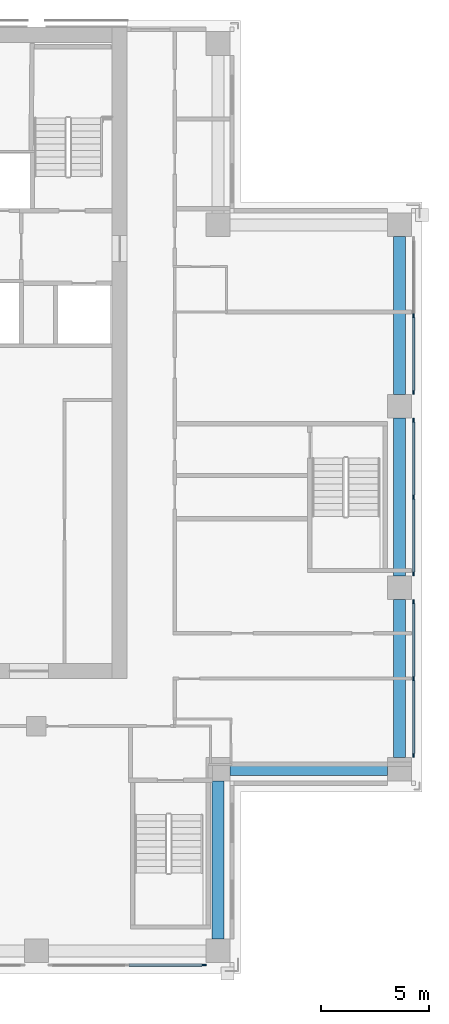
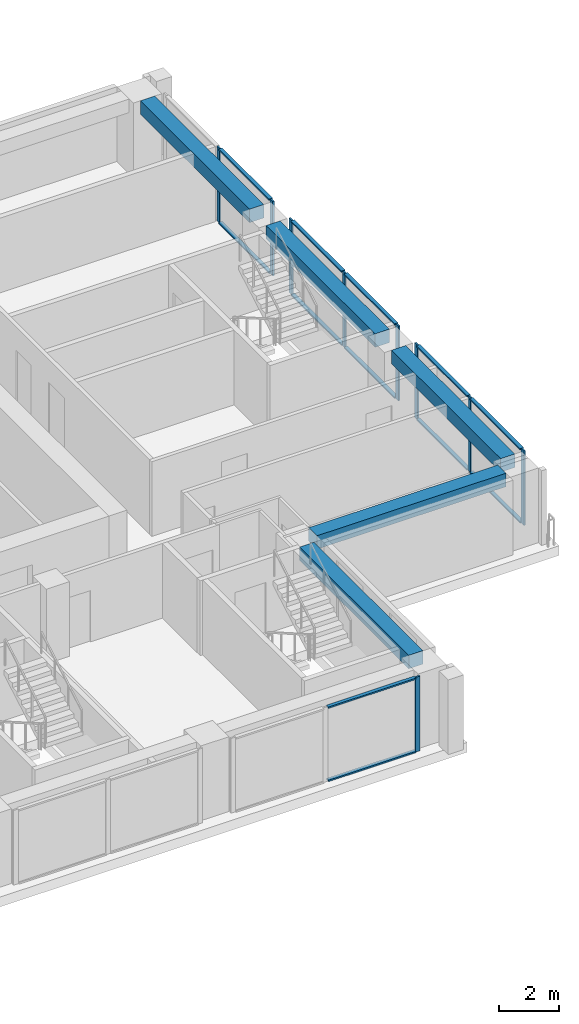
# One storey, part 5 of 16: 21 members, 5 beams, 4 elements without a shape of their own.
"""IFC4 building model written with IfcOpenShell, lengths in metres."""

from ifc_helpers import new_model, si_unit, direction, frame, origin, origin_2d, place, context, subcontext, project, spatial, rectangle, extrude, material, material_profile, profile_set, type_object, element, aggregate, save


model = new_model("IFC4")

# Units and contexts
model_context = context("Model", 3, precision=1e-05, world=origin(), true_north=direction((0.0, 1.0)))
body_context = subcontext(model_context, "Body", "Model", "MODEL_VIEW")
ifc_project = project(units=[si_unit("LENGTHUNIT", "METRE"), si_unit("AREAUNIT", "SQUARE_METRE"), si_unit("VOLUMEUNIT", "CUBIC_METRE"), si_unit("PLANEANGLEUNIT", "RADIAN"), si_unit("MASSUNIT", "GRAM", prefix="KILO")], contexts=[model_context])

# Site, building, storey
site_placement = place(None, origin())
site = spatial("IfcSite", under=ifc_project, at=site_placement, CompositionType="ELEMENT")
building_placement = place(site_placement, origin())
building = spatial("IfcBuilding", under=site, at=building_placement, Name="Vermilion Ogive Tower", CompositionType="ELEMENT")
storey_placement = place(building_placement, frame((0.0, 0.0, 160.699951171875)))
storey = spatial("IfcBuildingStorey", under=building, at=storey_placement, Name="L41", CompositionType="ELEMENT", Elevation=160.699951171875)

# Curtain wall, member
ifc_material_1 = material(Name="Low-iron laminated glazing in aluminium frame", Category="aluminium")
curtain_wall_type = type_object("IfcCurtainWallType", Name="Curtain wall CW7", PredefinedType="NOTDEFINED", material=ifc_material_1)
curtain_wall_1_placement = place(storey_placement, origin())
curtain_wall_1 = element("IfcCurtainWall", 1, at=curtain_wall_1_placement, inside=storey, type_object=curtain_wall_type, Name="Glazed skin S3", PredefinedType="NOTDEFINED")
ifc_material_2 = material(Name="Aluminium mullion", Category="aluminium")
ifc_material_profile_1 = material_profile(ifc_material_2, rectangle(XDim=0.06005859375, YDim=0.179931640625, at=origin_2d()), Name="AL 60x180")
ifc_profile_set_1 = profile_set([ifc_material_profile_1], Name="Aluminium mullion")
member_type_1 = type_object("IfcMemberType", Name="CW7 mullion 60x180", PredefinedType="MULLION", material=ifc_profile_set_1)
member_1_placement = place(storey_placement, frame((11.9599609375, -21.64990234375, 0.0), z_axis=(0.0, 0.0, 1.0), x_axis=(0.0, 1.0, 0.0)))
member_1 = element("IfcMember", 2, at=member_1_placement, type_object=member_type_1, Name="CW7-S3 mullion 3", PredefinedType="MULLION", context=body_context, shape_type="SweptSolid", body=[
    extrude(rectangle(XDim=0.06005859375, YDim=0.179931640625, at=origin_2d()), origin(), (0.0, 0.0, 1.0), 3.050048828125),
])

# Curtain wall, members
curtain_wall_2_placement = place(storey_placement, origin())
curtain_wall_2 = element("IfcCurtainWall", 3, at=curtain_wall_2_placement, inside=storey, type_object=curtain_wall_type, Name="Glazed skin E1", PredefinedType="NOTDEFINED")
member_2_placement = place(storey_placement, frame((21.64990234375, -11.9599609375, 0.0), z_axis=(0.0, 0.0, 1.0), x_axis=(-1.0, 0.0, 0.0)))
member_2 = element("IfcMember", 4, at=member_2_placement, type_object=member_type_1, Name="CW7-E1 mullion 1", PredefinedType="MULLION", context=body_context, shape_type="SweptSolid", body=[
    extrude(rectangle(XDim=0.06005859375, YDim=0.179931640625, at=origin_2d()), origin(), (0.0, 0.0, 1.0), 3.050048828125),
])
member_3_placement = place(storey_placement, frame((21.64990234375, -8.39990234375, 0.0), z_axis=(0.0, 0.0, 1.0), x_axis=(-1.0, 0.0, 0.0)))
member_3 = element("IfcMember", 5, at=member_3_placement, type_object=member_type_1, Name="CW7-E1 mullion 2", PredefinedType="MULLION", context=body_context, shape_type="SweptSolid", body=[
    extrude(rectangle(XDim=0.06005859375, YDim=0.179931640625, at=origin_2d()), origin(), (0.0, 0.0, 1.0), 3.050048828125),
])
member_4_placement = place(storey_placement, frame((21.64990234375, -4.840087890625, 0.0), z_axis=(0.0, 0.0, 1.0), x_axis=(-1.0, 0.0, 0.0)))
member_4 = element("IfcMember", 6, at=member_4_placement, type_object=member_type_1, Name="CW7-E1 mullion 3", PredefinedType="MULLION", context=body_context, shape_type="SweptSolid", body=[
    extrude(rectangle(XDim=0.06005859375, YDim=0.179931640625, at=origin_2d()), origin(), (0.0, 0.0, 1.0), 3.050048828125),
])

curtain_wall_3_placement = place(storey_placement, origin())
curtain_wall_3 = element("IfcCurtainWall", 7, at=curtain_wall_3_placement, inside=storey, type_object=curtain_wall_type, Name="Glazed skin E2", PredefinedType="NOTDEFINED")
member_5_placement = place(storey_placement, frame((21.64990234375, -3.56005859375, 0.0), z_axis=(0.0, 0.0, 1.0), x_axis=(-1.0, 0.0, 0.0)))
member_5 = element("IfcMember", 8, at=member_5_placement, type_object=member_type_1, Name="CW7-E2 mullion 1", PredefinedType="MULLION", context=body_context, shape_type="SweptSolid", body=[
    extrude(rectangle(XDim=0.06005859375, YDim=0.179931640625, at=origin_2d()), origin(), (0.0, 0.0, 1.0), 3.050048828125),
])
member_6_placement = place(storey_placement, frame((21.64990234375, 0.0, 0.0), z_axis=(0.0, 0.0, 1.0), x_axis=(-1.0, 0.0, 0.0)))
member_6 = element("IfcMember", 9, at=member_6_placement, type_object=member_type_1, Name="CW7-E2 mullion 2", PredefinedType="MULLION", context=body_context, shape_type="SweptSolid", body=[
    extrude(rectangle(XDim=0.06005859375, YDim=0.179931640625, at=origin_2d()), origin(), (0.0, 0.0, 1.0), 3.050048828125),
])
member_7_placement = place(storey_placement, frame((21.64990234375, 3.56005859375, 0.0), z_axis=(0.0, 0.0, 1.0), x_axis=(-1.0, 0.0, 0.0)))
member_7 = element("IfcMember", 10, at=member_7_placement, type_object=member_type_1, Name="CW7-E2 mullion 3", PredefinedType="MULLION", context=body_context, shape_type="SweptSolid", body=[
    extrude(rectangle(XDim=0.06005859375, YDim=0.179931640625, at=origin_2d()), origin(), (0.0, 0.0, 1.0), 3.050048828125),
])

curtain_wall_4_placement = place(storey_placement, origin())
curtain_wall_4 = element("IfcCurtainWall", 11, at=curtain_wall_4_placement, inside=storey, type_object=curtain_wall_type, Name="Glazed skin E3", PredefinedType="NOTDEFINED")
member_8_placement = place(storey_placement, frame((21.64990234375, 4.840087890625, 0.0), z_axis=(0.0, 0.0, 1.0), x_axis=(-1.0, 0.0, 0.0)))
member_8 = element("IfcMember", 12, at=member_8_placement, type_object=member_type_1, Name="CW7-E3 mullion 1", PredefinedType="MULLION", context=body_context, shape_type="SweptSolid", body=[
    extrude(rectangle(XDim=0.06005859375, YDim=0.179931640625, at=origin_2d()), origin(), (0.0, 0.0, 1.0), 3.050048828125),
])
member_9_placement = place(storey_placement, frame((21.64990234375, 8.39990234375, 0.0), z_axis=(0.0, 0.0, 1.0), x_axis=(-1.0, 0.0, 0.0)))
member_9 = element("IfcMember", 13, at=member_9_placement, type_object=member_type_1, Name="CW7-E3 mullion 2", PredefinedType="MULLION", context=body_context, shape_type="SweptSolid", body=[
    extrude(rectangle(XDim=0.06005859375, YDim=0.179931640625, at=origin_2d()), origin(), (0.0, 0.0, 1.0), 3.050048828125),
])

# Member
ifc_material_3 = material(Name="Aluminium transom", Category="aluminium")
ifc_material_profile_2 = material_profile(ifc_material_3, rectangle(XDim=0.139892578125, YDim=0.06005859375, at=origin_2d()), Name="AL 60x140")
ifc_profile_set_2 = profile_set([ifc_material_profile_2], Name="Aluminium transom")
member_type_2 = type_object("IfcMemberType", Name="CW7 transom 60x140", PredefinedType="USERDEFINED", material=ifc_profile_set_2)
member_10_placement = place(storey_placement, frame((8.489990234375, -21.64990234375, 0.030029296875), z_axis=(1.0, 0.0, 0.0), x_axis=(0.0, 1.0, 0.0)))
member_10 = element("IfcMember", 14, at=member_10_placement, type_object=member_type_2, Name="CW7-S3 transom 2.1", ObjectType="TRANSOM", PredefinedType="USERDEFINED", context=body_context, shape_type="SweptSolid", body=[
    extrude(rectangle(XDim=0.139892578125, YDim=0.06005859375, at=origin_2d()), origin(), (0.0, 0.0, 1.0), 3.380126953125),
])

member_11_placement = place(storey_placement, frame((8.489990234375, -21.64990234375, 3.02001953125), z_axis=(1.0, 0.0, 0.0), x_axis=(0.0, 1.0, 0.0)))
member_11 = element("IfcMember", 15, at=member_11_placement, type_object=member_type_2, Name="CW7-S3 transom 2.2", ObjectType="TRANSOM", PredefinedType="USERDEFINED", context=body_context, shape_type="SweptSolid", body=[
    extrude(rectangle(XDim=0.139892578125, YDim=0.06005859375, at=origin_2d()), origin(), (0.0, 0.0, 1.0), 3.380126953125),
])

aggregate(curtain_wall_1, [member_1, member_10, member_11])

member_12_placement = place(storey_placement, frame((21.64990234375, -11.8701171875, 0.030029296875), z_axis=(0.0, 1.0, 0.0), x_axis=(-1.0, 0.0, 0.0)))
member_12 = element("IfcMember", 16, at=member_12_placement, type_object=member_type_2, Name="CW7-E1 transom 1.1", ObjectType="TRANSOM", PredefinedType="USERDEFINED", context=body_context, shape_type="SweptSolid", body=[
    extrude(rectangle(XDim=0.139892578125, YDim=0.06005859375, at=origin_2d()), origin(), (0.0, 0.0, 1.0), 3.380126953125),
])

member_13_placement = place(storey_placement, frame((21.64990234375, -11.8701171875, 3.02001953125), z_axis=(0.0, 1.0, 0.0), x_axis=(-1.0, 0.0, 0.0)))
member_13 = element("IfcMember", 17, at=member_13_placement, type_object=member_type_2, Name="CW7-E1 transom 1.2", ObjectType="TRANSOM", PredefinedType="USERDEFINED", context=body_context, shape_type="SweptSolid", body=[
    extrude(rectangle(XDim=0.139892578125, YDim=0.06005859375, at=origin_2d()), origin(), (0.0, 0.0, 1.0), 3.380126953125),
])

member_14_placement = place(storey_placement, frame((21.64990234375, -8.31005859375, 0.030029296875), z_axis=(0.0, 1.0, 0.0), x_axis=(-1.0, 0.0, 0.0)))
member_14 = element("IfcMember", 18, at=member_14_placement, type_object=member_type_2, Name="CW7-E1 transom 2.1", ObjectType="TRANSOM", PredefinedType="USERDEFINED", context=body_context, shape_type="SweptSolid", body=[
    extrude(rectangle(XDim=0.139892578125, YDim=0.06005859375, at=origin_2d()), origin(), (0.0, 0.0, 1.0), 3.380126953125),
])

member_15_placement = place(storey_placement, frame((21.64990234375, -8.31005859375, 3.02001953125), z_axis=(0.0, 1.0, 0.0), x_axis=(-1.0, 0.0, 0.0)))
member_15 = element("IfcMember", 19, at=member_15_placement, type_object=member_type_2, Name="CW7-E1 transom 2.2", ObjectType="TRANSOM", PredefinedType="USERDEFINED", context=body_context, shape_type="SweptSolid", body=[
    extrude(rectangle(XDim=0.139892578125, YDim=0.06005859375, at=origin_2d()), origin(), (0.0, 0.0, 1.0), 3.380126953125),
])

aggregate(curtain_wall_2, [member_2, member_3, member_4, member_12, member_13, member_14, member_15])

member_16_placement = place(storey_placement, frame((21.64990234375, -3.469970703125, 0.030029296875), z_axis=(0.0, 1.0, 0.0), x_axis=(-1.0, 0.0, 0.0)))
member_16 = element("IfcMember", 20, at=member_16_placement, type_object=member_type_2, Name="CW7-E2 transom 1.1", ObjectType="TRANSOM", PredefinedType="USERDEFINED", context=body_context, shape_type="SweptSolid", body=[
    extrude(rectangle(XDim=0.139892578125, YDim=0.06005859375, at=origin_2d()), origin(), (0.0, 0.0, 1.0), 3.3798828125),
])

member_17_placement = place(storey_placement, frame((21.64990234375, -3.469970703125, 3.02001953125), z_axis=(0.0, 1.0, 0.0), x_axis=(-1.0, 0.0, 0.0)))
member_17 = element("IfcMember", 21, at=member_17_placement, type_object=member_type_2, Name="CW7-E2 transom 1.2", ObjectType="TRANSOM", PredefinedType="USERDEFINED", context=body_context, shape_type="SweptSolid", body=[
    extrude(rectangle(XDim=0.139892578125, YDim=0.06005859375, at=origin_2d()), origin(), (0.0, 0.0, 1.0), 3.3798828125),
])

member_18_placement = place(storey_placement, frame((21.64990234375, 0.090087890625, 0.030029296875), z_axis=(0.0, 1.0, 0.0), x_axis=(-1.0, 0.0, 0.0)))
member_18 = element("IfcMember", 22, at=member_18_placement, type_object=member_type_2, Name="CW7-E2 transom 2.1", ObjectType="TRANSOM", PredefinedType="USERDEFINED", context=body_context, shape_type="SweptSolid", body=[
    extrude(rectangle(XDim=0.139892578125, YDim=0.06005859375, at=origin_2d()), origin(), (0.0, 0.0, 1.0), 3.3798828125),
])

member_19_placement = place(storey_placement, frame((21.64990234375, 0.090087890625, 3.02001953125), z_axis=(0.0, 1.0, 0.0), x_axis=(-1.0, 0.0, 0.0)))
member_19 = element("IfcMember", 23, at=member_19_placement, type_object=member_type_2, Name="CW7-E2 transom 2.2", ObjectType="TRANSOM", PredefinedType="USERDEFINED", context=body_context, shape_type="SweptSolid", body=[
    extrude(rectangle(XDim=0.139892578125, YDim=0.06005859375, at=origin_2d()), origin(), (0.0, 0.0, 1.0), 3.3798828125),
])

aggregate(curtain_wall_3, [member_5, member_6, member_7, member_16, member_17, member_18, member_19])

member_20_placement = place(storey_placement, frame((21.64990234375, 4.929931640625, 0.030029296875), z_axis=(0.0, 1.0, 0.0), x_axis=(-1.0, 0.0, 0.0)))
member_20 = element("IfcMember", 24, at=member_20_placement, type_object=member_type_2, Name="CW7-E3 transom 1.1", ObjectType="TRANSOM", PredefinedType="USERDEFINED", context=body_context, shape_type="SweptSolid", body=[
    extrude(rectangle(XDim=0.139892578125, YDim=0.06005859375, at=origin_2d()), origin(), (0.0, 0.0, 1.0), 3.380126953125),
])

member_21_placement = place(storey_placement, frame((21.64990234375, 4.929931640625, 3.02001953125), z_axis=(0.0, 1.0, 0.0), x_axis=(-1.0, 0.0, 0.0)))
member_21 = element("IfcMember", 25, at=member_21_placement, type_object=member_type_2, Name="CW7-E3 transom 1.2", ObjectType="TRANSOM", PredefinedType="USERDEFINED", context=body_context, shape_type="SweptSolid", body=[
    extrude(rectangle(XDim=0.139892578125, YDim=0.06005859375, at=origin_2d()), origin(), (0.0, 0.0, 1.0), 3.380126953125),
])

aggregate(curtain_wall_4, [member_8, member_9, member_20, member_21])

# Beams
ifc_material_4 = material(Name="Concrete B45", Category="concrete")
ifc_material_profile_3 = material_profile(ifc_material_4, rectangle(XDim=0.550048828125, YDim=0.550048828125, at=origin_2d()), Name="550 x 550")
ifc_profile_set_3 = profile_set([ifc_material_profile_3], Name="Concrete B45")
beam_type = type_object("IfcBeamType", Name="Edge beam 550 x 550 B45", PredefinedType="BEAM", material=ifc_profile_set_3)
for number, where, z_axis, x_axis, name in (
    (26, (12.60009765625, -20.449951171875, 2.775146484375), (0.0, 1.0, 0.0), (-1.0, 0.0, 0.0), "L41-EB-4"),
    (27, (13.14990234375, -12.60009765625, 2.775146484375), (1.0, 0.0, 0.0), (0.0, 1.0, 0.0), "L41-EB-5"),
    (28, (21.0, -12.050048828125, 2.775146484375), (0.0, 1.0, 0.0), (-1.0, 0.0, 0.0), "L41-EB-6"),
):
    element("IfcBeam", number, at=place(storey_placement, frame(where, z_axis=z_axis, x_axis=x_axis)), inside=storey, type_object=beam_type, Name=name, PredefinedType="BEAM", context=body_context, shape_type="SweptSolid", body=[
        extrude(rectangle(XDim=0.550048828125, YDim=0.550048828125, at=origin_2d()), origin(), (0.0, 0.0, 1.0), 7.300048828125),
    ])
beam_1_placement = place(storey_placement, frame((21.0, -3.64990234375, 2.775146484375), z_axis=(0.0, 1.0, 0.0), x_axis=(-1.0, 0.0, 0.0)))
element("IfcBeam", 29, at=beam_1_placement, inside=storey, type_object=beam_type, Name="L41-EB-7", PredefinedType="BEAM", context=body_context, shape_type="SweptSolid", body=[
    extrude(rectangle(XDim=0.550048828125, YDim=0.550048828125, at=origin_2d()), origin(), (0.0, 0.0, 1.0), 7.2998046875),
])
beam_2_placement = place(storey_placement, frame((21.0, 4.75, 2.775146484375), z_axis=(0.0, 1.0, 0.0), x_axis=(-1.0, 0.0, 0.0)))
element("IfcBeam", 30, at=beam_2_placement, inside=storey, type_object=beam_type, Name="L41-EB-8", PredefinedType="BEAM", context=body_context, shape_type="SweptSolid", body=[
    extrude(rectangle(XDim=0.550048828125, YDim=0.550048828125, at=origin_2d()), origin(), (0.0, 0.0, 1.0), 7.300048828125),
])

save(model, "model.ifc")
